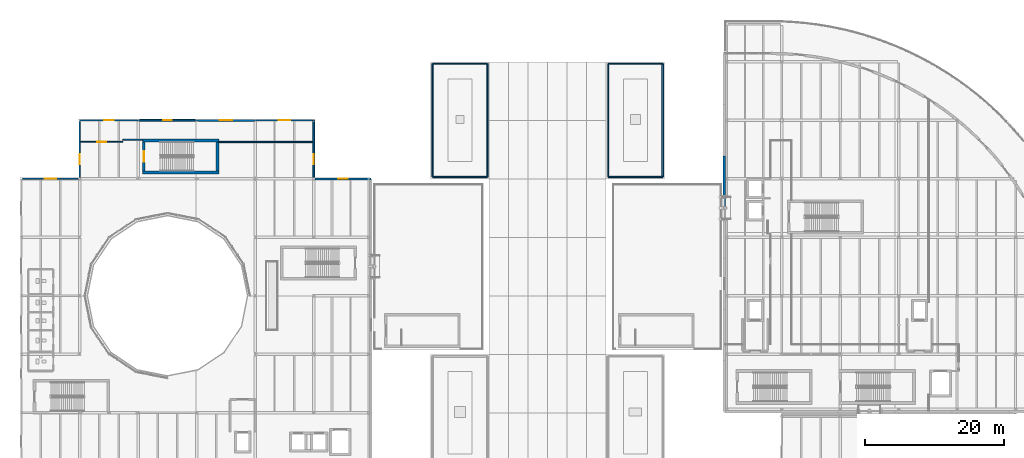
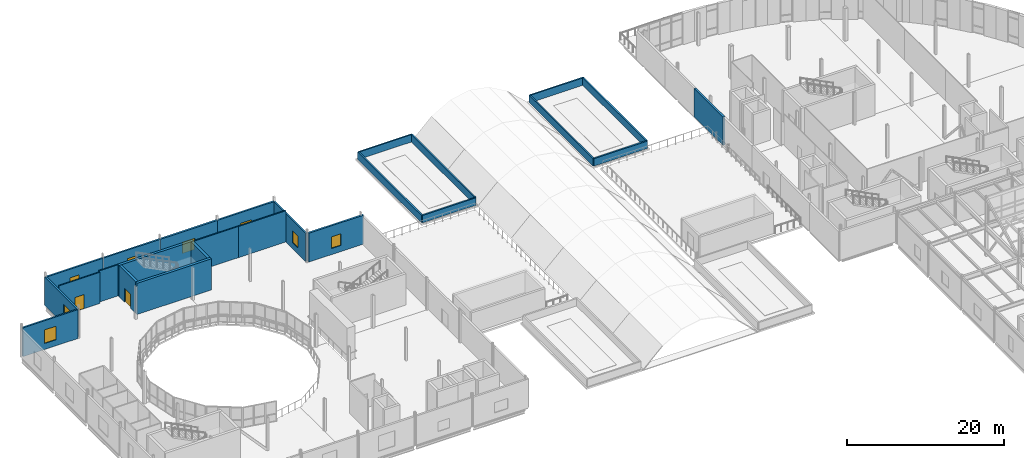
# One storey, part 69 of 91: 25 walls, 8 windows, 2 doors, 10 openings.
"""IFC4 building model written with IfcOpenShell, lengths in metres."""

import ifcopenshell
import ifcopenshell.guid

model = None  # the IFC model being written
_history = None  # IfcOwnerHistory: only IFC2X3 demands one
_inside = {}  # id of a spatial element -> (the spatial element, [elements in it])
_under = {}  # id of a project, library or spatial element -> (it, [spatial elements below it])
_declared = {}  # id of a project -> (the project, [libraries it declares])
_typed = {}  # id of a type object -> (the type object, [elements of that type])
_made_of = {}  # id of a material, layer set ... -> (it, [elements and type objects made of it])


def new_model(schema):
    """Start an empty IFC model of exactly this schema.

    Asked for "IFC4X3", IfcOpenShell would pick the latest addendum, in which some entities
    have other attributes; the version numbers below select the first issue.
    IFC2X3 requires an IfcOwnerHistory on every rooted entity: one is made here for all.
    """
    global model, _history
    if schema == "IFC4X3":
        model = ifcopenshell.file(schema_version=(4, 3, 0, 0))
    else:
        model = ifcopenshell.file(schema=schema)
    _inside.clear()
    _under.clear()
    _declared.clear()
    _typed.clear()
    _made_of.clear()
    _history = None
    if model.schema == "IFC2X3":
        org = make("IfcOrganization", Name="unknown")
        user = make(
            "IfcPersonAndOrganization",
            ThePerson=make("IfcPerson", FamilyName="unknown"),
            TheOrganization=org,
        )
        app = make(
            "IfcApplication",
            ApplicationDeveloper=org,
            Version="unknown",
            ApplicationFullName="unknown",
            ApplicationIdentifier="unknown",
        )
        _history = make(
            "IfcOwnerHistory",
            OwningUser=user,
            OwningApplication=app,
            ChangeAction="ADDED",
            CreationDate=0,
        )
    return model


def make(cls, **values):
    """One entity of the class cls with the attributes given. An attribute that is None is left unset."""
    return model.create_entity(
        cls, **{name: value for name, value in values.items() if value is not None}
    )


def rooted(cls, **values):
    """An entity with a GlobalId (a new one), such as an element, a storey or a relation."""
    return make(cls, GlobalId=ifcopenshell.guid.new(), OwnerHistory=_history, **values)


def si_unit(unit_type, name, prefix=None):
    """IfcSIUnit, for example si_unit("LENGTHUNIT", "METRE", prefix="MILLI")."""
    return make("IfcSIUnit", UnitType=unit_type, Prefix=prefix, Name=name)


def assignment(units):
    """IfcUnitAssignment: the units of a project."""
    return None if units is None else make("IfcUnitAssignment", Units=units)


def point(xyz):
    """IfcCartesianPoint."""
    return None if xyz is None else make("IfcCartesianPoint", Coordinates=xyz)


def direction(xyz):
    """IfcDirection."""
    return None if xyz is None else make("IfcDirection", DirectionRatios=xyz)


def frame(location, z_axis=None, x_axis=None):
    """IfcAxis2Placement3D, a coordinate frame: its origin and axes. An axis left out is left unset."""
    return make(
        "IfcAxis2Placement3D",
        Location=point(location),
        Axis=direction(z_axis),
        RefDirection=direction(x_axis),
    )


def frame_2d(location, x_axis=None):
    """IfcAxis2Placement2D, a coordinate frame in the plane: its origin and x axis."""
    return make(
        "IfcAxis2Placement2D", Location=point(location), RefDirection=direction(x_axis)
    )


def origin():
    """The frame at (0, 0, 0) with its axes left unset."""
    return frame((0.0, 0.0, 0.0))


def place(relative_to, where):
    """IfcLocalPlacement: puts the frame where relative to a parent placement (None: the world)."""
    return make(
        "IfcLocalPlacement", PlacementRelTo=relative_to, RelativePlacement=where
    )


def context(
    kind, dimensions, precision=None, world=None, true_north=None, identifier=None
):
    """IfcGeometricRepresentationContext, for example the 3D "Model" context."""
    return make(
        "IfcGeometricRepresentationContext",
        ContextIdentifier=identifier,
        ContextType=kind,
        CoordinateSpaceDimension=dimensions,
        Precision=precision,
        WorldCoordinateSystem=world,
        TrueNorth=true_north,
    )


def subcontext(parent, identifier, kind, view, scale=None):
    """IfcGeometricRepresentationSubContext, for example "Body" below "Model"."""
    return make(
        "IfcGeometricRepresentationSubContext",
        ContextIdentifier=identifier,
        ContextType=kind,
        ParentContext=parent,
        TargetScale=scale,
        TargetView=view,
    )


def project(units=None, contexts=None):
    """IfcProject with its units and contexts."""
    return rooted(
        "IfcProject",
        Name="project",
        RepresentationContexts=contexts,
        UnitsInContext=assignment(units),
    )


def spatial(cls, under=None, at=None, **own):
    """A site, building, storey or space (cls), placed at a placement, below another one or the project."""
    s = rooted(cls, ObjectPlacement=at, **own)
    if under is not None:
        _under.setdefault(under.id(), (under, []))[1].append(s)
    return s


def profile(cls, at=None, kind="AREA", **sizes):
    """A parametric profile (cls). Its sizes go by their IFC names, for example OverallWidth=200.0."""
    return make(cls, ProfileType=kind, Position=at, **sizes)


def rectangle(**sizes):
    """IfcRectangleProfileDef."""
    return profile("IfcRectangleProfileDef", **sizes)


def extrude(swept, where, along, depth):
    """IfcExtrudedAreaSolid: the profile swept, set in the frame where, extruded along a direction by depth."""
    return make(
        "IfcExtrudedAreaSolid",
        SweptArea=swept,
        Position=where,
        ExtrudedDirection=direction(along),
        Depth=depth,
    )


def shape(context_of_items, identifier, shape_type, items):
    """IfcShapeRepresentation: the items that make up one representation, for example the "Body"."""
    return make(
        "IfcShapeRepresentation",
        ContextOfItems=context_of_items,
        RepresentationIdentifier=identifier,
        RepresentationType=shape_type,
        Items=items,
    )


def material(Name=None, Category=None):
    """IfcMaterial."""
    return make("IfcMaterial", Name=Name, Category=Category)


def layer(
    of_material, thickness, ventilated=None, Name=None, Category=None, Priority=None
):
    """IfcMaterialLayer: one layer of a wall or slab, of a material (None: an air gap)."""
    return make(
        "IfcMaterialLayer",
        Material=of_material,
        LayerThickness=thickness,
        IsVentilated=ventilated,
        Name=Name,
        Category=Category,
        Priority=Priority,
    )


def layer_set(layers, Name=None):
    """IfcMaterialLayerSet."""
    return make("IfcMaterialLayerSet", MaterialLayers=layers, LayerSetName=Name)


def made_of(thing, what):
    """Note that an element or type object is made of a material, layer set ...; save() writes the relation."""
    if what is not None:
        _made_of.setdefault(what.id(), (what, []))[1].append(thing)
    return thing


def type_object(cls, material=None, **own):
    """A type object (cls), such as IfcWallType, which elements share."""
    return made_of(rooted(cls, **own), material)


def element(
    cls,
    number,
    at=None,
    inside=None,
    cuts=None,
    type_object=None,
    material=None,
    context=None,
    identifier="Body",
    shape_type=None,
    held_by="IfcProductDefinitionShape",
    body=None,
    shapes=None,
    **own,
):
    """One element of the class cls, such as IfcWall. Its Tag is "e" and its number.

    at: its placement. inside: the storey or other place that contains it. cuts: it is an
    opening in that element (IfcRelVoidsElement). A single representation is given by context,
    identifier, shape_type and body (its items); several are given by shapes. held_by: the class
    of the entity that holds the representations. save() writes the other relations.
    """
    e = rooted(cls, Tag="e%d" % number, ObjectPlacement=at, **own)
    if body is not None:
        shapes = [shape(context, identifier, shape_type, body)]
    if shapes is not None:
        e.Representation = make(held_by, Representations=shapes)
    if inside is not None:
        _inside.setdefault(inside.id(), (inside, []))[1].append(e)
    if cuts is not None:
        rooted(
            "IfcRelVoidsElement", RelatingBuildingElement=cuts, RelatedOpeningElement=e
        )
    if type_object is not None:
        _typed.setdefault(type_object.id(), (type_object, []))[1].append(e)
    return made_of(e, material)


def fill(opening, filler):
    """IfcRelFillsElement: the door or window that sits in an opening."""
    return rooted(
        "IfcRelFillsElement",
        RelatingOpeningElement=opening,
        RelatedBuildingElement=filler,
    )


def aggregate(whole, parts):
    """IfcRelAggregates: a whole, such as a stair, and the parts it consists of."""
    return rooted("IfcRelAggregates", RelatingObject=whole, RelatedObjects=parts)


def save(model, path):
    """Write the relations noted so far, then the file.

    IfcRelAggregates (storeys below a building ...), IfcRelContainedInSpatialStructure (elements
    in a storey), IfcRelDefinesByType, IfcRelAssociatesMaterial and IfcRelDeclares: one each for
    every whole, place, type object, material and project.
    """
    for whole, parts in _under.values():
        aggregate(whole, parts)
    for where, things in _inside.values():
        rooted(
            "IfcRelContainedInSpatialStructure",
            RelatedElements=things,
            RelatingStructure=where,
        )
    for kind, things in _typed.values():
        rooted("IfcRelDefinesByType", RelatedObjects=things, RelatingType=kind)
    for what, things in _made_of.values():
        rooted("IfcRelAssociatesMaterial", RelatedObjects=things, RelatingMaterial=what)
    for by, libraries in _declared.values():
        rooted("IfcRelDeclares", RelatingContext=by, RelatedDefinitions=libraries)
    model.write(path)


model = new_model("IFC4")

# Units and contexts
model_context = context("Model", 3, precision=1e-05, world=origin(), true_north=direction((0.0, 1.0)))
body_context = subcontext(model_context, "Body", "Model", "MODEL_VIEW")
ifc_project = project(units=[si_unit("LENGTHUNIT", "METRE"), si_unit("AREAUNIT", "SQUARE_METRE"), si_unit("VOLUMEUNIT", "CUBIC_METRE"), si_unit("PLANEANGLEUNIT", "RADIAN"), si_unit("MASSUNIT", "GRAM", prefix="KILO"), si_unit("THERMODYNAMICTEMPERATUREUNIT", "KELVIN")], contexts=[model_context])

# Site, building, storey
site_placement = place(None, origin())
site = spatial("IfcSite", under=ifc_project, at=site_placement, CompositionType="ELEMENT")
building_placement = place(site_placement, origin())
building = spatial("IfcBuilding", under=site, at=building_placement, Name="Lustrewick Department Store", CompositionType="ELEMENT")
storey_placement = place(building_placement, frame((0.0, 0.0, 21.60009765625)))
storey = spatial("IfcBuildingStorey", under=building, at=storey_placement, Name="L05", CompositionType="ELEMENT", Elevation=21.60009765625)

# Wall, opening, window
ifc_material_1 = material(Name="Precast concrete C40", Category="concrete")
ifc_layer_1 = layer(ifc_material_1, 0.239990234375, Name="Precast concrete C40")
ifc_layer_set_1 = layer_set([ifc_layer_1], Name="Precast concrete C40")
wall_type_1 = type_object("IfcWallType", Name="EW01", PredefinedType="STANDARD", material=ifc_layer_set_1)
wall_1_placement = place(storey_placement, frame((50.39990234375, 84.173095703125, 0.0), z_axis=(0.0, 0.0, 1.0), x_axis=(0.0, 1.0, 0.0)))
wall_1 = element("IfcWall", 1, at=wall_1_placement, inside=storey, type_object=wall_type_1, Name="L05 V1 Exterior Wall EW01", PredefinedType="STANDARD", context=body_context, shape_type="SweptSolid", body=[
    extrude(rectangle(XDim=8.226806640625, YDim=0.239990234375, at=frame_2d((4.11328125, 0.0))), origin(), (0.0, 0.0, 1.0), 4.39697265625),
])
opening_1_placement = place(wall_1_placement, frame((1.882568359375, 0.0, 0.949951171875)))
opening_1 = element("IfcOpeningElement", 2, at=opening_1_placement, cuts=wall_1, Name="Opening WN03", PredefinedType="OPENING", context=body_context, shape_type="SweptSolid", body=[
    extrude(rectangle(XDim=1.5, YDim=1.800048828125, at=frame_2d((0.75, 0.89990234375))), frame((0.0, 0.1298828125, 0.0), z_axis=(0.0, -1.0, 0.0), x_axis=(1.0, 0.0, 0.0)), (0.0, 0.0, 1.0), 0.260009765625),
])
ifc_material_2 = material(Name="Thermally broken Low-E triple-glazed window", Category="glass")
window_type_1 = type_object("IfcWindowType", Name="WN03", PartitioningType="DOUBLE_PANEL_VERTICAL", PredefinedType="WINDOW", material=ifc_material_2)
window_1_placement = place(opening_1_placement, origin())
window_1 = element("IfcWindow", 3, at=window_1_placement, inside=storey, type_object=window_type_1, Name="L05 Art Nouveau Window WN03", OverallHeight=1.800048828125, OverallWidth=1.5, PartitioningType="SINGLE_PANEL", PredefinedType="WINDOW", context=body_context, shape_type="SweptSolid", body=[
    extrude(rectangle(XDim=1.5, YDim=1.800048828125, at=frame_2d((0.75, 0.89990234375))), frame((0.0, 0.030029296875, 0.0), z_axis=(0.0, -1.0, 0.0), x_axis=(1.0, 0.0, 0.0)), (0.0, 0.0, 1.0), 0.06005859375),
])
fill(opening_1, window_1)

wall_2_placement = place(storey_placement, frame((33.60009765625, 92.39990234375, 0.0), z_axis=(0.0, 0.0, 1.0), x_axis=(-1.0, 0.0, 0.0)))
wall_2 = element("IfcWall", 4, at=wall_2_placement, inside=storey, type_object=wall_type_1, Name="L05 V1 Exterior Wall EW01", PredefinedType="STANDARD", context=body_context, shape_type="SweptSolid", body=[
    extrude(rectangle(XDim=8.400146484375, YDim=0.239990234375, at=frame_2d((4.2001953125, 0.0))), origin(), (0.0, 0.0, 1.0), 4.39697265625),
])
opening_2_placement = place(wall_2_placement, frame((3.60009765625, 0.0, 0.949951171875)))
opening_2 = element("IfcOpeningElement", 5, at=opening_2_placement, cuts=wall_2, Name="Opening WN06", PredefinedType="OPENING", context=body_context, shape_type="SweptSolid", body=[
    extrude(rectangle(XDim=1.199951171875, YDim=2.10009765625, at=frame_2d((0.60009765625, 1.050048828125))), frame((0.0, 0.1298828125, 0.0), z_axis=(0.0, -1.0, 0.0), x_axis=(1.0, 0.0, 0.0)), (0.0, 0.0, 1.0), 0.260009765625),
])
window_type_2 = type_object("IfcWindowType", Name="WN06", PartitioningType="DOUBLE_PANEL_VERTICAL", PredefinedType="WINDOW", material=ifc_material_2)
window_2_placement = place(opening_2_placement, origin())
window_2 = element("IfcWindow", 6, at=window_2_placement, inside=storey, type_object=window_type_2, Name="L05 Art Nouveau Window WN06", OverallHeight=2.10009765625, OverallWidth=1.199951171875, PartitioningType="SINGLE_PANEL", PredefinedType="WINDOW", context=body_context, shape_type="SweptSolid", body=[
    extrude(rectangle(XDim=1.199951171875, YDim=2.10009765625, at=frame_2d((0.60009765625, 1.050048828125))), frame((0.0, 0.030029296875, 0.0), z_axis=(0.0, -1.0, 0.0), x_axis=(1.0, 0.0, 0.0)), (0.0, 0.0, 1.0), 0.06005859375),
])
fill(opening_2, window_2)

wall_3_placement = place(storey_placement, frame((16.626953125, 84.0, 0.0), z_axis=(0.0, 0.0, 1.0), x_axis=(-1.0, 0.0, 0.0)))
wall_3 = element("IfcWall", 7, at=wall_3_placement, inside=storey, type_object=wall_type_1, Name="L05 V1 Exterior Wall EW01", PredefinedType="STANDARD", context=body_context, shape_type="SweptSolid", body=[
    extrude(rectangle(XDim=8.053955078125, YDim=0.239990234375, at=frame_2d((4.02685546875, 0.0))), origin(), (0.0, 0.0, 1.0), 4.48681640625),
])
opening_3_placement = place(wall_3_placement, frame((3.18701171875, 0.0, 0.949951171875)))
opening_3 = element("IfcOpeningElement", 8, at=opening_3_placement, cuts=wall_3, Name="Opening WN09", PredefinedType="OPENING", context=body_context, shape_type="SweptSolid", body=[
    extrude(rectangle(XDim=1.679931640625, YDim=2.10009765625, at=frame_2d((0.83984375, 1.050048828125))), frame((0.0, 0.1298828125, 0.0), z_axis=(0.0, -1.0, 0.0), x_axis=(1.0, 0.0, 0.0)), (0.0, 0.0, 1.0), 0.260009765625),
])
window_type_3 = type_object("IfcWindowType", Name="WN09", PartitioningType="DOUBLE_PANEL_VERTICAL", PredefinedType="WINDOW", material=ifc_material_2)
window_3_placement = place(opening_3_placement, origin())
window_3 = element("IfcWindow", 9, at=window_3_placement, inside=storey, type_object=window_type_3, Name="L05 Art Nouveau Window WN09", OverallHeight=2.10009765625, OverallWidth=1.679931640625, PartitioningType="SINGLE_PANEL", PredefinedType="WINDOW", context=body_context, shape_type="SweptSolid", body=[
    extrude(rectangle(XDim=1.679931640625, YDim=2.10009765625, at=frame_2d((0.83984375, 1.050048828125))), frame((0.0, 0.030029296875, 0.0), z_axis=(0.0, -1.0, 0.0), x_axis=(1.0, 0.0, 0.0)), (0.0, 0.0, 1.0), 0.06005859375),
])
fill(opening_3, window_3)

ifc_layer_2 = layer(ifc_material_1, 0.260009765625, Name="Precast concrete C40")
ifc_layer_set_2 = layer_set([ifc_layer_2], Name="Precast concrete C40")
wall_type_2 = type_object("IfcWallType", Name="EW02", PredefinedType="STANDARD", material=ifc_layer_set_2)
wall_4_placement = place(storey_placement, frame((50.39990234375, 92.39990234375, 0.0), z_axis=(0.0, 0.0, 1.0), x_axis=(-1.0, 0.0, 0.0)))
wall_4 = element("IfcWall", 10, at=wall_4_placement, inside=storey, type_object=wall_type_2, Name="L05 V1 Exterior Wall EW02", PredefinedType="STANDARD", context=body_context, shape_type="SweptSolid", body=[
    extrude(rectangle(XDim=8.39990234375, YDim=0.260009765625, at=frame_2d((4.199951171875, 0.0))), origin(), (0.0, 0.0, 1.0), 4.39697265625),
])
opening_4_placement = place(wall_4_placement, frame((3.360107421875, 0.0, 0.949951171875)))
opening_4 = element("IfcOpeningElement", 11, at=opening_4_placement, cuts=wall_4, Name="Opening WN04", PredefinedType="OPENING", context=body_context, shape_type="SweptSolid", body=[
    extrude(rectangle(XDim=1.679931640625, YDim=1.800048828125, at=frame_2d((0.83984375, 0.89990234375))), frame((0.0, 0.14013671875, 0.0), z_axis=(0.0, -1.0, 0.0), x_axis=(1.0, 0.0, 0.0)), (0.0, 0.0, 1.0), 0.280029296875),
])
window_type_4 = type_object("IfcWindowType", Name="WN04", PartitioningType="DOUBLE_PANEL_VERTICAL", PredefinedType="WINDOW", material=ifc_material_2)
window_4_placement = place(opening_4_placement, origin())
window_4 = element("IfcWindow", 12, at=window_4_placement, inside=storey, type_object=window_type_4, Name="L05 Art Nouveau Window WN04", OverallHeight=1.800048828125, OverallWidth=1.679931640625, PartitioningType="SINGLE_PANEL", PredefinedType="WINDOW", context=body_context, shape_type="SweptSolid", body=[
    extrude(rectangle(XDim=1.679931640625, YDim=1.800048828125, at=frame_2d((0.83984375, 0.89990234375))), frame((0.0, 0.030029296875, 0.0), z_axis=(0.0, -1.0, 0.0), x_axis=(1.0, 0.0, 0.0)), (0.0, 0.0, 1.0), 0.06005859375),
])
fill(opening_4, window_4)

wall_5_placement = place(storey_placement, frame((25.199951171875, 92.39990234375, 0.0), z_axis=(0.0, 0.0, 1.0), x_axis=(-1.0, 0.0, 0.0)))
wall_5 = element("IfcWall", 13, at=wall_5_placement, inside=storey, type_object=wall_type_2, Name="L05 V1 Exterior Wall EW02", PredefinedType="STANDARD", context=body_context, shape_type="SweptSolid", body=[
    extrude(rectangle(XDim=8.39990234375, YDim=0.260009765625, at=frame_2d((4.199951171875, 0.0))), origin(), (0.0, 0.0, 1.0), 4.39697265625),
])
opening_5_placement = place(wall_5_placement, frame((3.52490234375, 0.0, 0.949951171875)))
opening_5 = element("IfcOpeningElement", 14, at=opening_5_placement, cuts=wall_5, Name="Opening WN07", PredefinedType="OPENING", context=body_context, shape_type="SweptSolid", body=[
    extrude(rectangle(XDim=1.35009765625, YDim=2.10009765625, at=frame_2d((0.675048828125, 1.050048828125))), frame((0.0, 0.14013671875, 0.0), z_axis=(0.0, -1.0, 0.0), x_axis=(1.0, 0.0, 0.0)), (0.0, 0.0, 1.0), 0.280029296875),
])
window_type_5 = type_object("IfcWindowType", Name="WN07", PartitioningType="DOUBLE_PANEL_VERTICAL", PredefinedType="WINDOW", material=ifc_material_2)
window_5_placement = place(opening_5_placement, origin())
window_5 = element("IfcWindow", 15, at=window_5_placement, inside=storey, type_object=window_type_5, Name="L05 Art Nouveau Window WN07", OverallHeight=2.10009765625, OverallWidth=1.35009765625, PartitioningType="SINGLE_PANEL", PredefinedType="WINDOW", context=body_context, shape_type="SweptSolid", body=[
    extrude(rectangle(XDim=1.35009765625, YDim=2.10009765625, at=frame_2d((0.675048828125, 1.050048828125))), frame((0.0, 0.030029296875, 0.0), z_axis=(0.0, -1.0, 0.0), x_axis=(1.0, 0.0, 0.0)), (0.0, 0.0, 1.0), 0.06005859375),
])
fill(opening_5, window_5)

ifc_layer_3 = layer(ifc_material_1, 0.280029296875, Name="Precast concrete C40")
ifc_layer_set_3 = layer_set([ifc_layer_3], Name="Precast concrete C40")
wall_type_3 = type_object("IfcWallType", Name="EW03", PredefinedType="STANDARD", material=ifc_layer_set_3)
wall_6_placement = place(storey_placement, frame((58.64990234375, 84.0, 0.0), z_axis=(0.0, 0.0, 1.0), x_axis=(-1.0, 0.0, 0.0)))
wall_6 = element("IfcWall", 16, at=wall_6_placement, inside=storey, type_object=wall_type_3, Name="L05 V1 Exterior Wall EW03", PredefinedType="STANDARD", context=body_context, shape_type="SweptSolid", body=[
    extrude(rectangle(XDim=8.076904296875, YDim=0.280029296875, at=frame_2d((4.03857421875, 0.0))), origin(), (0.0, 0.0, 1.0), 4.48681640625),
])
opening_6_placement = place(wall_6_placement, frame((3.363525390625, 0.0, 0.949951171875)))
opening_6 = element("IfcOpeningElement", 17, at=opening_6_placement, cuts=wall_6, Name="Opening WN02", PredefinedType="OPENING", context=body_context, shape_type="SweptSolid", body=[
    extrude(rectangle(XDim=1.35009765625, YDim=1.800048828125, at=frame_2d((0.675048828125, 0.89990234375))), frame((0.0, 0.14990234375, 0.0), z_axis=(0.0, -1.0, 0.0), x_axis=(1.0, 0.0, 0.0)), (0.0, 0.0, 1.0), 0.300048828125),
])
window_type_6 = type_object("IfcWindowType", Name="WN02", PartitioningType="DOUBLE_PANEL_VERTICAL", PredefinedType="WINDOW", material=ifc_material_2)
window_6_placement = place(opening_6_placement, origin())
window_6 = element("IfcWindow", 18, at=window_6_placement, inside=storey, type_object=window_type_6, Name="L05 Art Nouveau Window WN02", OverallHeight=1.800048828125, OverallWidth=1.35009765625, PartitioningType="SINGLE_PANEL", PredefinedType="WINDOW", context=body_context, shape_type="SweptSolid", body=[
    extrude(rectangle(XDim=1.35009765625, YDim=1.800048828125, at=frame_2d((0.675048828125, 0.89990234375))), frame((0.0, 0.030029296875, 0.0), z_axis=(0.0, -1.0, 0.0), x_axis=(1.0, 0.0, 0.0)), (0.0, 0.0, 1.0), 0.06005859375),
])
fill(opening_6, window_6)

wall_7_placement = place(storey_placement, frame((42.0, 92.39990234375, 0.0), z_axis=(0.0, 0.0, 1.0), x_axis=(-1.0, 0.0, 0.0)))
wall_7 = element("IfcWall", 19, at=wall_7_placement, inside=storey, type_object=wall_type_3, Name="L05 V1 Exterior Wall EW03", PredefinedType="STANDARD", context=body_context, shape_type="SweptSolid", body=[
    extrude(rectangle(XDim=8.39990234375, YDim=0.280029296875, at=frame_2d((4.199951171875, 0.0))), origin(), (0.0, 0.0, 1.0), 4.39697265625),
])
opening_7_placement = place(wall_7_placement, frame((3.300048828125, 0.0, 0.949951171875)))
opening_7 = element("IfcOpeningElement", 20, at=opening_7_placement, cuts=wall_7, Name="Opening WN05", PredefinedType="OPENING", context=body_context, shape_type="SweptSolid", body=[
    extrude(rectangle(XDim=1.800048828125, YDim=1.800048828125, at=frame_2d((0.89990234375, 0.89990234375))), frame((0.0, 0.14990234375, 0.0), z_axis=(0.0, -1.0, 0.0), x_axis=(1.0, 0.0, 0.0)), (0.0, 0.0, 1.0), 0.300048828125),
])
window_type_7 = type_object("IfcWindowType", Name="WN05", PartitioningType="DOUBLE_PANEL_VERTICAL", PredefinedType="WINDOW", material=ifc_material_2)
window_7_placement = place(opening_7_placement, origin())
window_7 = element("IfcWindow", 21, at=window_7_placement, inside=storey, type_object=window_type_7, Name="L05 Art Nouveau Window WN05", OverallHeight=1.800048828125, OverallWidth=1.800048828125, PartitioningType="SINGLE_PANEL", PredefinedType="WINDOW", context=body_context, shape_type="SweptSolid", body=[
    extrude(rectangle(XDim=1.800048828125, YDim=1.800048828125, at=frame_2d((0.89990234375, 0.89990234375))), frame((0.0, 0.030029296875, 0.0), z_axis=(0.0, -1.0, 0.0), x_axis=(1.0, 0.0, 0.0)), (0.0, 0.0, 1.0), 0.06005859375),
])
fill(opening_7, window_7)

wall_8_placement = place(storey_placement, frame((16.800048828125, 92.39990234375, 0.0), z_axis=(0.0, 0.0, 1.0), x_axis=(0.0, -1.0, 0.0)))
wall_8 = element("IfcWall", 22, at=wall_8_placement, inside=storey, type_object=wall_type_3, Name="L05 V1 Exterior Wall EW03", PredefinedType="STANDARD", context=body_context, shape_type="SweptSolid", body=[
    extrude(rectangle(XDim=8.226806640625, YDim=0.280029296875, at=frame_2d((4.11328125, 0.0))), origin(), (0.0, 0.0, 1.0), 4.39697265625),
])
opening_8_placement = place(wall_8_placement, frame((4.844482421875, 0.0, 0.949951171875)))
opening_8 = element("IfcOpeningElement", 23, at=opening_8_placement, cuts=wall_8, Name="Opening WN08", PredefinedType="OPENING", context=body_context, shape_type="SweptSolid", body=[
    extrude(rectangle(XDim=1.5, YDim=2.10009765625, at=frame_2d((0.75, 1.050048828125))), frame((0.0, 0.14990234375, 0.0), z_axis=(0.0, -1.0, 0.0), x_axis=(1.0, 0.0, 0.0)), (0.0, 0.0, 1.0), 0.300048828125),
])
window_type_8 = type_object("IfcWindowType", Name="WN08", PartitioningType="DOUBLE_PANEL_VERTICAL", PredefinedType="WINDOW", material=ifc_material_2)
window_8_placement = place(opening_8_placement, origin())
window_8 = element("IfcWindow", 24, at=window_8_placement, inside=storey, type_object=window_type_8, Name="L05 Art Nouveau Window WN08", OverallHeight=2.10009765625, OverallWidth=1.5, PartitioningType="SINGLE_PANEL", PredefinedType="WINDOW", context=body_context, shape_type="SweptSolid", body=[
    extrude(rectangle(XDim=1.5, YDim=2.10009765625, at=frame_2d((0.75, 1.050048828125))), frame((0.0, 0.030029296875, 0.0), z_axis=(0.0, -1.0, 0.0), x_axis=(1.0, 0.0, 0.0)), (0.0, 0.0, 1.0), 0.06005859375),
])
fill(opening_8, window_8)

# Walls
ifc_layer_4 = layer(ifc_material_1, 0.300048828125, Name="Precast concrete C40")
ifc_layer_set_4 = layer_set([ifc_layer_4], Name="Precast concrete C40")
wall_type_4 = type_object("IfcWallType", Name="EW04", PredefinedType="STANDARD", material=ifc_layer_set_4)
wall_9_placement = place(storey_placement, frame((109.35009765625, 87.300048828125, 0.0), z_axis=(0.0, 0.0, 1.0), x_axis=(0.0, -1.0, 0.0)))
element("IfcWall", 25, at=wall_9_placement, inside=storey, type_object=wall_type_4, Name="L05 V4 Exterior Wall EW04", PredefinedType="STANDARD", context=body_context, shape_type="SweptSolid", body=[
    extrude(rectangle(XDim=7.35009765625, YDim=0.300048828125, at=frame_2d((3.675048828125, 0.0))), origin(), (0.0, 0.0, 1.0), 4.39697265625),
])
ifc_layer_5 = layer(ifc_material_1, 0.18994140625, Name="Precast concrete C40")
ifc_layer_set_5 = layer_set([ifc_layer_5], Name="Precast concrete C40")
wall_type_5 = type_object("IfcWallType", Name="PA01", PredefinedType="PARAPET", material=ifc_layer_set_5)
wall_10_placement = place(storey_placement, frame((67.47998046875, 100.52001953125, 0.0), z_axis=(0.0, 0.0, 1.0), x_axis=(1.0, 0.0, 0.0)))
element("IfcWall", 26, at=wall_10_placement, inside=storey, type_object=wall_type_5, Name="L05 Roof Parapet PA01", PredefinedType="PARAPET", context=body_context, shape_type="SweptSolid", body=[
    extrude(rectangle(XDim=7.840087890625, YDim=0.18994140625, at=frame_2d((3.919921875, 0.0))), origin(), (0.0, 0.0, 1.0), 1.14990234375),
])
wall_11_placement = place(storey_placement, frame((92.679931640625, 84.280029296875, 0.0), z_axis=(0.0, 0.0, 1.0), x_axis=(0.0, 1.0, 0.0)))
element("IfcWall", 27, at=wall_11_placement, inside=storey, type_object=wall_type_5, Name="L05 Roof Parapet PA01", PredefinedType="PARAPET", context=body_context, shape_type="SweptSolid", body=[
    extrude(rectangle(XDim=16.239990234375, YDim=0.18994140625, at=frame_2d((8.1201171875, 0.0))), origin(), (0.0, 0.0, 1.0), 1.14990234375),
])
ifc_layer_6 = layer(ifc_material_1, 0.2099609375, Name="Precast concrete C40")
ifc_layer_set_6 = layer_set([ifc_layer_6], Name="Precast concrete C40")
wall_type_6 = type_object("IfcWallType", Name="PA02", PredefinedType="PARAPET", material=ifc_layer_set_6)
wall_12_placement = place(storey_placement, frame((75.320068359375, 84.280029296875, 0.0), z_axis=(0.0, 0.0, 1.0), x_axis=(-1.0, 0.0, 0.0)))
element("IfcWall", 28, at=wall_12_placement, inside=storey, type_object=wall_type_6, Name="L05 Roof Parapet PA02", PredefinedType="PARAPET", context=body_context, shape_type="SweptSolid", body=[
    extrude(rectangle(XDim=7.840087890625, YDim=0.2099609375, at=frame_2d((3.919921875, 0.0))), origin(), (0.0, 0.0, 1.0), 1.14990234375),
])
wall_13_placement = place(storey_placement, frame((75.320068359375, 100.52001953125, 0.0), z_axis=(0.0, 0.0, 1.0), x_axis=(0.0, -1.0, 0.0)))
element("IfcWall", 29, at=wall_13_placement, inside=storey, type_object=wall_type_6, Name="L05 Roof Parapet PA02", PredefinedType="PARAPET", context=body_context, shape_type="SweptSolid", body=[
    extrude(rectangle(XDim=16.239990234375, YDim=0.2099609375, at=frame_2d((8.1201171875, 0.0))), origin(), (0.0, 0.0, 1.0), 1.14990234375),
])
wall_14_placement = place(storey_placement, frame((92.679931640625, 100.52001953125, 0.0), z_axis=(0.0, 0.0, 1.0), x_axis=(1.0, 0.0, 0.0)))
element("IfcWall", 30, at=wall_14_placement, inside=storey, type_object=wall_type_6, Name="L05 Roof Parapet PA02", PredefinedType="PARAPET", context=body_context, shape_type="SweptSolid", body=[
    extrude(rectangle(XDim=7.840087890625, YDim=0.2099609375, at=frame_2d((3.919921875, 0.0))), origin(), (0.0, 0.0, 1.0), 1.14990234375),
])
ifc_layer_7 = layer(ifc_material_1, 0.22998046875, Name="Precast concrete C40")
ifc_layer_set_7 = layer_set([ifc_layer_7], Name="Precast concrete C40")
wall_type_7 = type_object("IfcWallType", Name="PA03", PredefinedType="PARAPET", material=ifc_layer_set_7)
wall_15_placement = place(storey_placement, frame((67.47998046875, 84.280029296875, 0.0), z_axis=(0.0, 0.0, 1.0), x_axis=(0.0, 1.0, 0.0)))
element("IfcWall", 31, at=wall_15_placement, inside=storey, type_object=wall_type_7, Name="L05 Roof Parapet PA03", PredefinedType="PARAPET", context=body_context, shape_type="SweptSolid", body=[
    extrude(rectangle(XDim=16.239990234375, YDim=0.22998046875, at=frame_2d((8.1201171875, 0.0))), origin(), (0.0, 0.0, 1.0), 1.14990234375),
])
wall_16_placement = place(storey_placement, frame((100.52001953125, 84.280029296875, 0.0), z_axis=(0.0, 0.0, 1.0), x_axis=(-1.0, 0.0, 0.0)))
element("IfcWall", 32, at=wall_16_placement, inside=storey, type_object=wall_type_7, Name="L05 Roof Parapet PA03", PredefinedType="PARAPET", context=body_context, shape_type="SweptSolid", body=[
    extrude(rectangle(XDim=7.840087890625, YDim=0.22998046875, at=frame_2d((3.919921875, 0.0))), origin(), (0.0, 0.0, 1.0), 1.14990234375),
])
wall_17_placement = place(storey_placement, frame((100.52001953125, 100.52001953125, 0.0), z_axis=(0.0, 0.0, 1.0), x_axis=(0.0, -1.0, 0.0)))
element("IfcWall", 33, at=wall_17_placement, inside=storey, type_object=wall_type_7, Name="L05 Roof Parapet PA03", PredefinedType="PARAPET", context=body_context, shape_type="SweptSolid", body=[
    extrude(rectangle(XDim=16.239990234375, YDim=0.22998046875, at=frame_2d((8.1201171875, 0.0))), origin(), (0.0, 0.0, 1.0), 1.14990234375),
])
ifc_material_3 = material(Name="Double-stud gypsum fire board with mineral wool", Category="gypsum")
ifc_layer_8 = layer(ifc_material_3, 0.18505859375, Name="Double-stud gypsum fire board with mineral wool")
ifc_layer_set_8 = layer_set([ifc_layer_8], Name="Double-stud gypsum fire board with mineral wool")
wall_type_8 = type_object("IfcWallType", Name="PW03", PredefinedType="PARTITIONING", material=ifc_layer_set_8)
wall_18_placement = place(storey_placement, frame((50.284912109375, 89.29638671875, 0.0), z_axis=(0.0, 0.0, 1.0), x_axis=(-1.0, 0.0, 0.0)))
element("IfcWall", 34, at=wall_18_placement, inside=storey, type_object=wall_type_8, Name="L05 Homeware and Linen Showroom PW03", PredefinedType="PARTITIONING", context=body_context, shape_type="SweptSolid", body=[
    extrude(rectangle(XDim=6.949951171875, YDim=0.18505859375, at=frame_2d((3.47509765625, 0.0))), origin(), (0.0, 0.0, 1.0), 4.844970703125),
])
wall_19_placement = place(storey_placement, frame((43.3349609375, 89.29638671875, 0.0), z_axis=(0.0, 0.0, 1.0), x_axis=(-1.0, 0.0, 0.0)))
element("IfcWall", 35, at=wall_19_placement, inside=storey, type_object=wall_type_8, Name="L05 Homeware and Linen Showroom PW03", PredefinedType="PARTITIONING", context=body_context, shape_type="SweptSolid", body=[
    extrude(rectangle(XDim=6.554931640625, YDim=0.18505859375, at=frame_2d((3.27734375, 0.0))), origin(), (0.0, 0.0, 1.0), 4.844970703125),
])

# Wall, opening, door
ifc_layer_9 = layer(ifc_material_3, 0.1650390625, Name="Double-stud gypsum fire board with mineral wool")
ifc_layer_set_9 = layer_set([ifc_layer_9], Name="Double-stud gypsum fire board with mineral wool")
wall_type_9 = type_object("IfcWallType", Name="PW04", PredefinedType="PARTITIONING", material=ifc_layer_set_9)
wall_20_placement = place(storey_placement, frame((16.93505859375, 89.29638671875, 0.0), z_axis=(0.0, 0.0, 1.0), x_axis=(1.0, 0.0, 0.0)))
wall_20 = element("IfcWall", 36, at=wall_20_placement, inside=storey, type_object=wall_type_9, Name="L05 AHU Mechanical Plant PW04", PredefinedType="PARTITIONING", context=body_context, shape_type="SweptSolid", body=[
    extrude(rectangle(XDim=6.054931640625, YDim=0.1650390625, at=frame_2d((3.02734375, 0.0))), origin(), (0.0, 0.0, 1.0), 4.844970703125),
])
opening_9_placement = place(wall_20_placement, frame((2.37744140625, 0.0, 0.0)))
opening_9 = element("IfcOpeningElement", 37, at=opening_9_placement, cuts=wall_20, Name="Opening D-L05-047", PredefinedType="OPENING", context=body_context, shape_type="SweptSolid", body=[
    extrude(rectangle(XDim=1.300048828125, YDim=2.199951171875, at=frame_2d((0.64990234375, 1.10009765625))), frame((0.0, 0.092529296875, 0.0), z_axis=(0.0, -1.0, 0.0), x_axis=(1.0, 0.0, 0.0)), (0.0, 0.0, 1.0), 0.18505859375),
])
ifc_material_4 = material(Name="Steel fire door Class A EI 90", Category="steel")
door_type_1 = type_object("IfcDoorType", Name="DT-13", OperationType="NOTDEFINED", PredefinedType="DOOR", material=ifc_material_4)
door_1_placement = place(opening_9_placement, origin())
door_1 = element("IfcDoor", 38, at=door_1_placement, inside=storey, type_object=door_type_1, Name="L05 AHU Mechanical Plant Door D-L05-047", OperationType="SINGLE_SWING_LEFT", OverallHeight=2.199951171875, OverallWidth=1.300048828125, PredefinedType="DOOR", context=body_context, shape_type="SweptSolid", body=[
    extrude(rectangle(XDim=1.300048828125, YDim=2.199951171875, at=frame_2d((0.64990234375, 1.10009765625))), frame((0.0, 0.02490234375, 0.0), z_axis=(0.0, -1.0, 0.0), x_axis=(1.0, 0.0, 0.0)), (0.0, 0.0, 1.0), 0.050048828125),
])
fill(opening_9, door_1)

# Walls
wall_21_placement = place(storey_placement, frame((23.0, 89.610107421875, 0.0), z_axis=(0.0, 0.0, 1.0), x_axis=(1.0, 0.0, 0.0)))
element("IfcWall", 39, at=wall_21_placement, inside=storey, type_object=wall_type_9, Name="L05 AHU Mechanical Plant PW04", PredefinedType="PARTITIONING", context=body_context, shape_type="SweptSolid", body=[
    extrude(rectangle(XDim=2.820068359375, YDim=0.1650390625, at=frame_2d((1.41015625, 0.0))), origin(), (0.0, 0.0, 1.0), 4.844970703125),
])
ifc_material_5 = material(Name="Concrete C40", Category="concrete")
ifc_layer_10 = layer(ifc_material_5, 0.3798828125, Name="Concrete C40")
ifc_layer_set_10 = layer_set([ifc_layer_10], Name="Concrete C40")
wall_type_10 = type_object("IfcWallType", Name="SW03", PredefinedType="SHEAR", material=ifc_layer_set_10)
wall_22_placement = place(storey_placement, frame((25.820068359375, 84.909912109375, 0.0), z_axis=(0.0, 0.0, 1.0), x_axis=(1.0, 0.0, 0.0)))
element("IfcWall", 40, at=wall_22_placement, inside=storey, type_object=wall_type_10, Name="L05 Stair Core ST03 Shear Wall S", PredefinedType="SHEAR", context=body_context, shape_type="SweptSolid", body=[
    extrude(rectangle(XDim=10.9599609375, YDim=0.3798828125, at=frame_2d((5.47998046875, 0.0))), origin(), (0.0, 0.0, 1.0), 4.844970703125),
])
wall_23_placement = place(storey_placement, frame((36.590087890625, 85.10009765625, 0.0), z_axis=(0.0, 0.0, 1.0), x_axis=(0.0, 1.0, 0.0)))
element("IfcWall", 41, at=wall_23_placement, inside=storey, type_object=wall_type_10, Name="L05 Stair Core ST03 Shear Wall E", PredefinedType="SHEAR", context=body_context, shape_type="SweptSolid", body=[
    extrude(rectangle(XDim=4.199951171875, YDim=0.3798828125, at=frame_2d((2.10009765625, 0.0))), origin(), (0.0, 0.0, 1.0), 4.844970703125),
])
wall_24_placement = place(storey_placement, frame((36.780029296875, 89.489990234375, 0.0), z_axis=(0.0, 0.0, 1.0), x_axis=(-1.0, 0.0, 0.0)))
element("IfcWall", 42, at=wall_24_placement, inside=storey, type_object=wall_type_10, Name="L05 Stair Core ST03 Shear Wall N", PredefinedType="SHEAR", context=body_context, shape_type="SweptSolid", body=[
    extrude(rectangle(XDim=10.9599609375, YDim=0.3798828125, at=frame_2d((5.47998046875, 0.0))), origin(), (0.0, 0.0, 1.0), 4.844970703125),
])

# Wall, opening, door
wall_25_placement = place(storey_placement, frame((26.010009765625, 89.300048828125, 0.0), z_axis=(0.0, 0.0, 1.0), x_axis=(0.0, -1.0, 0.0)))
wall_25 = element("IfcWall", 43, at=wall_25_placement, inside=storey, type_object=wall_type_10, Name="L05 Stair Core ST03 Shear Wall W", PredefinedType="SHEAR", context=body_context, shape_type="SweptSolid", body=[
    extrude(rectangle(XDim=4.199951171875, YDim=0.3798828125, at=frame_2d((2.10009765625, 0.0))), origin(), (0.0, 0.0, 1.0), 4.844970703125),
])
opening_10_placement = place(wall_25_placement, frame((1.35009765625, 0.0, 0.0)))
opening_10 = element("IfcOpeningElement", 44, at=opening_10_placement, cuts=wall_25, Name="Opening D-L05-003", PredefinedType="OPENING", context=body_context, shape_type="SweptSolid", body=[
    extrude(rectangle(XDim=1.5, YDim=2.14990234375, at=frame_2d((0.75, 1.074951171875))), frame((0.0, 0.199951171875, 0.0), z_axis=(0.0, -1.0, 0.0), x_axis=(1.0, 0.0, 0.0)), (0.0, 0.0, 1.0), 0.39990234375),
])
ifc_material_6 = material(Name="Steel fire door Class B EI 60", Category="steel")
door_type_2 = type_object("IfcDoorType", Name="DT-07", OperationType="NOTDEFINED", PredefinedType="DOOR", material=ifc_material_6)
door_2_placement = place(opening_10_placement, origin())
door_2 = element("IfcDoor", 45, at=door_2_placement, inside=storey, type_object=door_type_2, Name="L05 Smoke-Proof Stair ST03 Fire Door", OperationType="SINGLE_SWING_LEFT", OverallHeight=2.14990234375, OverallWidth=1.5, PredefinedType="DOOR", context=body_context, shape_type="SweptSolid", body=[
    extrude(rectangle(XDim=1.5, YDim=2.14990234375, at=frame_2d((0.75, 1.074951171875))), frame((0.0, 0.02490234375, 0.0), z_axis=(0.0, -1.0, 0.0), x_axis=(1.0, 0.0, 0.0)), (0.0, 0.0, 1.0), 0.050048828125),
])
fill(opening_10, door_2)

save(model, "model.ifc")
